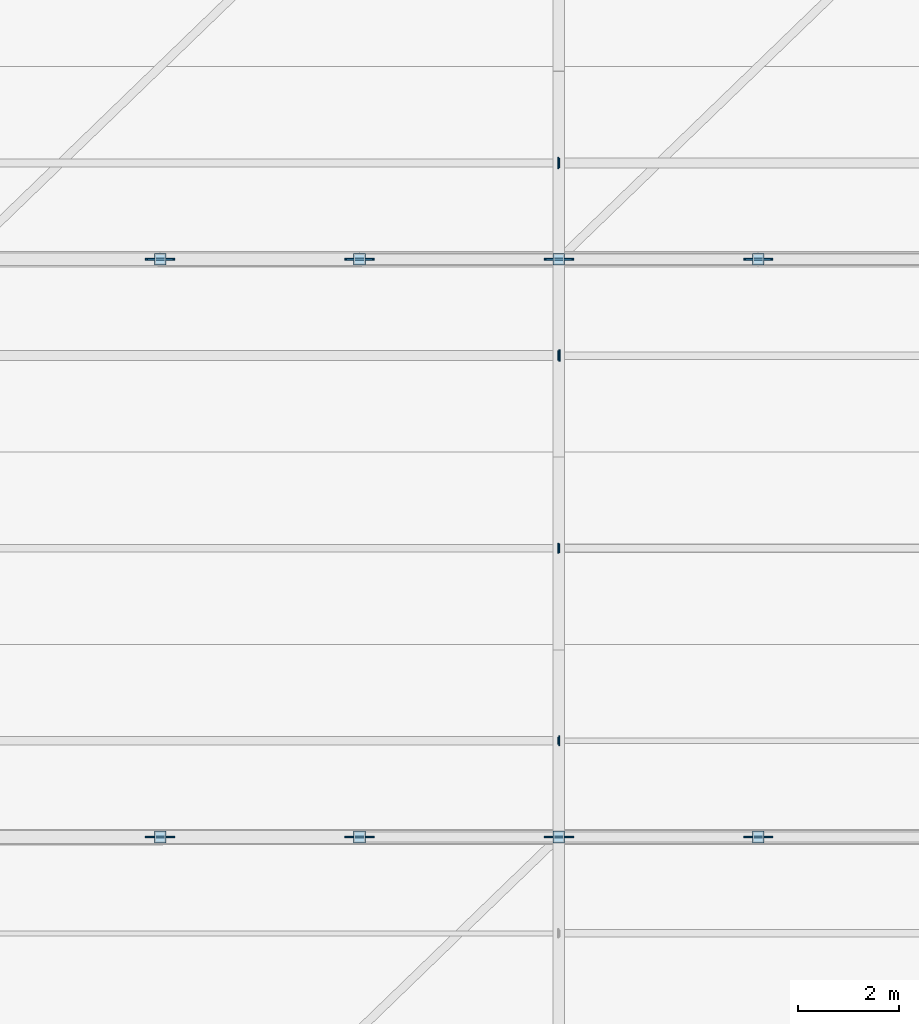
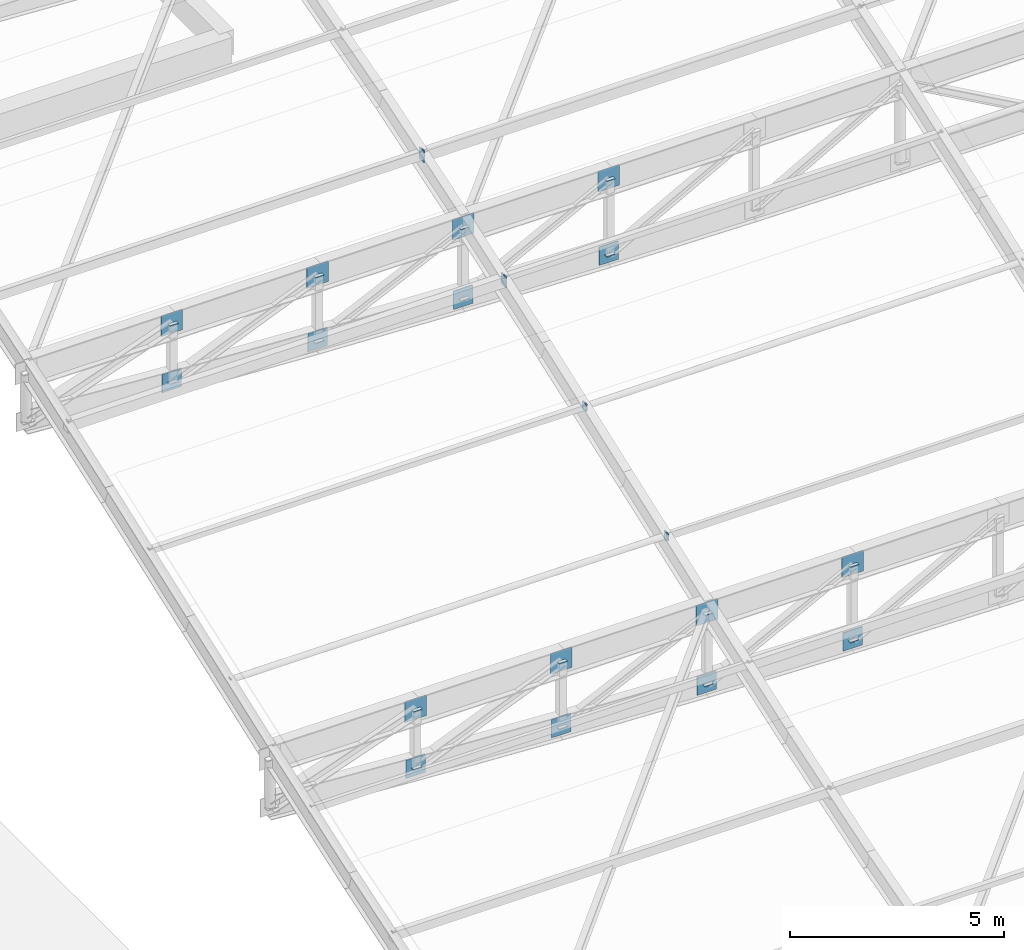
# One storey, part 54 of 65: 40 plates.
"""IFC4 building model written with IfcOpenShell, lengths in metres."""

from ifc_helpers import new_model, si_unit, direction, frame, origin, origin_2d, place, context, subcontext, project, spatial, rectangle, extrude, material, layer, layer_set, type_object, element, save


model = new_model("IFC4")

# Units and contexts
model_context = context("Model", 3, precision=1e-05, world=origin(), true_north=direction((0.0, 1.0)))
body_context = subcontext(model_context, "Body", "Model", "MODEL_VIEW")
ifc_project = project(units=[si_unit("LENGTHUNIT", "METRE"), si_unit("AREAUNIT", "SQUARE_METRE"), si_unit("VOLUMEUNIT", "CUBIC_METRE"), si_unit("PLANEANGLEUNIT", "RADIAN"), si_unit("MASSUNIT", "GRAM", prefix="KILO"), si_unit("POWERUNIT", "WATT"), si_unit("THERMODYNAMICTEMPERATUREUNIT", "KELVIN")], contexts=[model_context])

# Site, building, storey
site_placement = place(None, origin())
site = spatial("IfcSite", under=ifc_project, at=site_placement, CompositionType="ELEMENT")
building_placement = place(site_placement, origin())
building = spatial("IfcBuilding", under=site, at=building_placement, Name="Kelmbourne Parkland Aquatics Centre", CompositionType="ELEMENT")
storey_placement = place(building_placement, frame((0.0, 0.0, 27.0)))
storey = spatial("IfcBuildingStorey", under=building, at=storey_placement, Name="RF", CompositionType="ELEMENT", Elevation=27.0)

# Plates
ifc_material = material(Name="Welded plate steel AS/NZS 3678 Grade 350", Category="steel")
ifc_layer_1 = layer(ifc_material, 0.02001953125)
ifc_layer_set_1 = layer_set([ifc_layer_1], Name="Welded plate steel AS/NZS 3678 Grade 350")
plate_type_1 = type_object("IfcPlateType", Name="PL-CAP-20", PredefinedType="USERDEFINED", material=ifc_layer_set_1)
for number, where, z_axis, x_axis, name in (
    (1, (131.933349609375, 80.60009765625, -8.9638671875), (0.0, 0.0, 1.0), (1.0, 0.0, 0.0), "Hollow end cap plate CAP-0199"),
    (2, (131.933349609375, 80.60009765625, -7.30615234375), (0.0, 0.0, 1.0), (1.0, 0.0, 0.0), "Hollow end cap plate CAP-0200"),
    (3, (135.86669921875, 80.60009765625, -9.17626953125), (0.0, 0.0, 1.0), (1.0, 0.0, 0.0), "Hollow end cap plate CAP-0201"),
    (4, (135.86669921875, 80.60009765625, -7.30615234375), (0.0, 0.0, 1.0), (1.0, 0.0, 0.0), "Hollow end cap plate CAP-0202"),
    (5, (139.800048828125, 80.60009765625, -9.341552734375), (0.0, 0.0, 1.0), (1.0, 0.0, 0.0), "Hollow end cap plate CAP-0203"),
    (6, (139.800048828125, 80.60009765625, -7.30615234375), (0.0, 0.0, 1.0), (1.0, 0.0, 0.0), "Hollow end cap plate CAP-0204"),
    (7, (143.7333984375, 80.60009765625, -9.459716796875), (0.0, 0.0, 1.0), (1.0, 0.0, 0.0), "Hollow end cap plate CAP-0205"),
    (8, (143.7333984375, 80.60009765625, -7.30615234375), (0.0, 0.0, 1.0), (1.0, 0.0, 0.0), "Hollow end cap plate CAP-0206"),
    (9, (131.933349609375, 92.0, -4.861572265625), (0.0, 0.0, 1.0), (1.0, 0.0, 0.0), "Hollow end cap plate CAP-0225"),
    (10, (131.933349609375, 92.0, -3.203857421875), (0.0, 0.0, 1.0), (1.0, 0.0, 0.0), "Hollow end cap plate CAP-0226"),
    (11, (135.86669921875, 92.0, -5.07421875), (0.0, 0.0, 1.0), (1.0, 0.0, 0.0), "Hollow end cap plate CAP-0227"),
    (12, (135.86669921875, 92.0, -3.203857421875), (0.0, 0.0, 1.0), (1.0, 0.0, 0.0), "Hollow end cap plate CAP-0228"),
    (13, (139.800048828125, 92.0, -5.239501953125), (0.0, 0.0, 1.0), (1.0, 0.0, 0.0), "Hollow end cap plate CAP-0229"),
    (14, (139.800048828125, 92.0, -3.203857421875), (0.0, 0.0, 1.0), (1.0, 0.0, 0.0), "Hollow end cap plate CAP-0230"),
    (15, (143.7333984375, 92.0, -5.357421875), (0.0, 0.0, 1.0), (1.0, 0.0, 0.0), "Hollow end cap plate CAP-0231"),
    (16, (143.7333984375, 92.0, -3.203857421875), (0.0, 0.0, 1.0), (1.0, 0.0, 0.0), "Hollow end cap plate CAP-0232"),
):
    element("IfcPlate", number, at=place(storey_placement, frame(where, z_axis=z_axis, x_axis=x_axis)), inside=storey, type_object=plate_type_1, Name=name, ObjectType="END CAP PLATE", PredefinedType="USERDEFINED", context=body_context, shape_type="SweptSolid", body=[
        extrude(rectangle(XDim=0.22998046875, YDim=0.22998046875, at=origin_2d()), origin(), (0.0, 0.0, 1.0), 0.02001953125),
    ])
plate_1_placement = place(storey_placement, frame((139.80908203125, 82.5, -6.36572265625), z_axis=(0.0, 0.0, 1.0), x_axis=(1.0, 0.0, 0.0)))
element("IfcPlate", 17, at=plate_1_placement, inside=storey, type_object=plate_type_1, Name="Hollow end cap plate CAP-0470", ObjectType="END CAP PLATE", PredefinedType="USERDEFINED", context=body_context, shape_type="SweptSolid", body=[
    extrude(rectangle(XDim=0.02001953125, YDim=0.1982421875, at=origin_2d()), origin(), (0.0, 0.0, 1.0), 0.1982421875),
])
plate_2_placement = place(storey_placement, frame((139.791015625, 82.5, -6.397705078125), z_axis=(0.0, 0.0, 1.0), x_axis=(-1.0, 0.0, 0.0)))
element("IfcPlate", 18, at=plate_2_placement, inside=storey, type_object=plate_type_1, Name="Hollow end cap plate CAP-0471", ObjectType="END CAP PLATE", PredefinedType="USERDEFINED", context=body_context, shape_type="SweptSolid", body=[
    extrude(rectangle(XDim=0.02001953125, YDim=0.1298828125, at=origin_2d()), origin(), (0.0, 0.0, 1.0), 0.22998046875),
])
plate_3_placement = place(storey_placement, frame((139.80908203125, 86.300048828125, -4.96240234375), z_axis=(0.0, 0.0, 1.0), x_axis=(1.0, 0.0, 0.0)))
element("IfcPlate", 19, at=plate_3_placement, inside=storey, type_object=plate_type_1, Name="Hollow end cap plate CAP-0478", ObjectType="END CAP PLATE", PredefinedType="USERDEFINED", context=body_context, shape_type="SweptSolid", body=[
    extrude(rectangle(XDim=0.02001953125, YDim=0.179931640625, at=origin_2d()), origin(), (0.0, 0.0, 1.0), 0.179931640625),
])
plate_4_placement = place(storey_placement, frame((139.791015625, 86.300048828125, -4.980712890625), z_axis=(0.0, 0.0, 1.0), x_axis=(-1.0, 0.0, 0.0)))
element("IfcPlate", 20, at=plate_4_placement, inside=storey, type_object=plate_type_1, Name="Hollow end cap plate CAP-0479", ObjectType="END CAP PLATE", PredefinedType="USERDEFINED", context=body_context, shape_type="SweptSolid", body=[
    extrude(rectangle(XDim=0.02001953125, YDim=0.1982421875, at=origin_2d()), origin(), (0.0, 0.0, 1.0), 0.1982421875),
])
plate_5_placement = place(storey_placement, frame((139.791015625, 90.10009765625, -3.60400390625), z_axis=(0.0, 0.0, 1.0), x_axis=(-1.0, 0.0, 0.0)))
element("IfcPlate", 21, at=plate_5_placement, inside=storey, type_object=plate_type_1, Name="Hollow end cap plate CAP-0487", ObjectType="END CAP PLATE", PredefinedType="USERDEFINED", context=body_context, shape_type="SweptSolid", body=[
    extrude(rectangle(XDim=0.02001953125, YDim=0.179931640625, at=origin_2d()), origin(), (0.0, 0.0, 1.0), 0.179931640625),
])
plate_6_placement = place(storey_placement, frame((139.80908203125, 93.89990234375, -2.42431640625), z_axis=(0.0, 0.0, 1.0), x_axis=(1.0, 0.0, 0.0)))
element("IfcPlate", 22, at=plate_6_placement, inside=storey, type_object=plate_type_1, Name="Hollow end cap plate CAP-0494", ObjectType="END CAP PLATE", PredefinedType="USERDEFINED", context=body_context, shape_type="SweptSolid", body=[
    extrude(rectangle(XDim=0.02001953125, YDim=0.179931640625, at=origin_2d()), origin(), (0.0, 0.0, 1.0), 0.280029296875),
])
ifc_layer_2 = layer(ifc_material, 0.02392578125)
ifc_layer_set_2 = layer_set([ifc_layer_2], Name="Welded plate steel AS/NZS 3678 Grade 350")
plate_type_2 = type_object("IfcPlateType", Name="PL-CAP-24", PredefinedType="USERDEFINED", material=ifc_layer_set_2)
for number, where, z_axis, x_axis, name in (
    (23, (139.81103515625, 90.10009765625, -3.75390625), (0.0, 0.0, 1.0), (1.0, 0.0, 0.0), "Hollow end cap plate CAP-0486"),
    (24, (139.7890625, 93.89990234375, -2.47412109375), (0.0, 0.0, 1.0), (-1.0, 0.0, 0.0), "Hollow end cap plate CAP-0495"),
):
    element("IfcPlate", number, at=place(storey_placement, frame(where, z_axis=z_axis, x_axis=x_axis)), inside=storey, type_object=plate_type_2, Name=name, ObjectType="END CAP PLATE", PredefinedType="USERDEFINED", context=body_context, shape_type="SweptSolid", body=[
        extrude(rectangle(XDim=0.02392578125, YDim=0.22998046875, at=origin_2d()), origin(), (0.0, 0.0, 1.0), 0.330078125),
    ])
ifc_layer_3 = layer(ifc_material, 0.031982421875)
ifc_layer_set_3 = layer_set([ifc_layer_3], Name="Welded plate steel AS/NZS 3678 Grade 350")
plate_type_3 = type_object("IfcPlateType", Name="PL-GUS-3", PredefinedType="USERDEFINED", material=ifc_layer_set_3)
plate_7_placement = place(storey_placement, frame((131.933349609375, 80.60009765625, -7.59521484375), z_axis=(0.0, 0.0, 1.0), x_axis=(1.0, 0.0, 0.0)))
element("IfcPlate", 25, at=plate_7_placement, inside=storey, type_object=plate_type_3, Name="Truss top node TN-3 gusset plate R07-N1", ObjectType="GUSSET PLATE", PredefinedType="USERDEFINED", context=body_context, shape_type="SweptSolid", body=[
    extrude(rectangle(XDim=0.580078125, YDim=0.031982421875, at=origin_2d()), origin(), (0.0, 0.0, 1.0), 0.580078125),
])
plate_8_placement = place(storey_placement, frame((131.933349609375, 80.60009765625, -9.204833984375), z_axis=(0.0, 0.0, 1.0), x_axis=(1.0, 0.0, 0.0)))
element("IfcPlate", 26, at=plate_8_placement, inside=storey, type_object=plate_type_3, Name="Truss bottom node TN-3 gusset plate R07-B1", ObjectType="GUSSET PLATE", PredefinedType="USERDEFINED", context=body_context, shape_type="SweptSolid", body=[
    extrude(rectangle(XDim=0.52001953125, YDim=0.031982421875, at=origin_2d()), origin(), (0.0, 0.0, 1.0), 0.52001953125),
])
plate_9_placement = place(storey_placement, frame((135.86669921875, 80.60009765625, -7.59521484375), z_axis=(0.0, 0.0, 1.0), x_axis=(1.0, 0.0, 0.0)))
element("IfcPlate", 27, at=plate_9_placement, inside=storey, type_object=plate_type_3, Name="Truss top node TN-3 gusset plate R07-N2", ObjectType="GUSSET PLATE", PredefinedType="USERDEFINED", context=body_context, shape_type="SweptSolid", body=[
    extrude(rectangle(XDim=0.580078125, YDim=0.031982421875, at=origin_2d()), origin(), (0.0, 0.0, 1.0), 0.580078125),
])
plate_10_placement = place(storey_placement, frame((135.86669921875, 80.60009765625, -9.417236328125), z_axis=(0.0, 0.0, 1.0), x_axis=(1.0, 0.0, 0.0)))
element("IfcPlate", 28, at=plate_10_placement, inside=storey, type_object=plate_type_3, Name="Truss bottom node TN-3 gusset plate R07-B2", ObjectType="GUSSET PLATE", PredefinedType="USERDEFINED", context=body_context, shape_type="SweptSolid", body=[
    extrude(rectangle(XDim=0.52001953125, YDim=0.031982421875, at=origin_2d()), origin(), (0.0, 0.0, 1.0), 0.52001953125),
])
plate_11_placement = place(storey_placement, frame((139.800048828125, 80.60009765625, -7.59521484375), z_axis=(0.0, 0.0, 1.0), x_axis=(1.0, 0.0, 0.0)))
element("IfcPlate", 29, at=plate_11_placement, inside=storey, type_object=plate_type_3, Name="Truss top node TN-3 gusset plate R07-N3", ObjectType="GUSSET PLATE", PredefinedType="USERDEFINED", context=body_context, shape_type="SweptSolid", body=[
    extrude(rectangle(XDim=0.580078125, YDim=0.031982421875, at=origin_2d()), origin(), (0.0, 0.0, 1.0), 0.580078125),
])
plate_12_placement = place(storey_placement, frame((139.800048828125, 80.60009765625, -9.58251953125), z_axis=(0.0, 0.0, 1.0), x_axis=(1.0, 0.0, 0.0)))
element("IfcPlate", 30, at=plate_12_placement, inside=storey, type_object=plate_type_3, Name="Truss bottom node TN-3 gusset plate R07-B3", ObjectType="GUSSET PLATE", PredefinedType="USERDEFINED", context=body_context, shape_type="SweptSolid", body=[
    extrude(rectangle(XDim=0.52001953125, YDim=0.031982421875, at=origin_2d()), origin(), (0.0, 0.0, 1.0), 0.52001953125),
])
plate_13_placement = place(storey_placement, frame((143.7333984375, 80.60009765625, -7.59521484375), z_axis=(0.0, 0.0, 1.0), x_axis=(1.0, 0.0, 0.0)))
element("IfcPlate", 31, at=plate_13_placement, inside=storey, type_object=plate_type_3, Name="Truss top node TN-3 gusset plate R07-N4", ObjectType="GUSSET PLATE", PredefinedType="USERDEFINED", context=body_context, shape_type="SweptSolid", body=[
    extrude(rectangle(XDim=0.580078125, YDim=0.031982421875, at=origin_2d()), origin(), (0.0, 0.0, 1.0), 0.580078125),
])
plate_14_placement = place(storey_placement, frame((143.7333984375, 80.60009765625, -9.70068359375), z_axis=(0.0, 0.0, 1.0), x_axis=(1.0, 0.0, 0.0)))
element("IfcPlate", 32, at=plate_14_placement, inside=storey, type_object=plate_type_3, Name="Truss bottom node TN-3 gusset plate R07-B4", ObjectType="GUSSET PLATE", PredefinedType="USERDEFINED", context=body_context, shape_type="SweptSolid", body=[
    extrude(rectangle(XDim=0.52001953125, YDim=0.031982421875, at=origin_2d()), origin(), (0.0, 0.0, 1.0), 0.52001953125),
])
plate_15_placement = place(storey_placement, frame((131.933349609375, 92.0, -3.492919921875), z_axis=(0.0, 0.0, 1.0), x_axis=(1.0, 0.0, 0.0)))
element("IfcPlate", 33, at=plate_15_placement, inside=storey, type_object=plate_type_3, Name="Truss top node TN-3 gusset plate R08-N1", ObjectType="GUSSET PLATE", PredefinedType="USERDEFINED", context=body_context, shape_type="SweptSolid", body=[
    extrude(rectangle(XDim=0.580078125, YDim=0.031982421875, at=origin_2d()), origin(), (0.0, 0.0, 1.0), 0.580078125),
])
plate_16_placement = place(storey_placement, frame((131.933349609375, 92.0, -5.1025390625), z_axis=(0.0, 0.0, 1.0), x_axis=(1.0, 0.0, 0.0)))
element("IfcPlate", 34, at=plate_16_placement, inside=storey, type_object=plate_type_3, Name="Truss bottom node TN-3 gusset plate R08-B1", ObjectType="GUSSET PLATE", PredefinedType="USERDEFINED", context=body_context, shape_type="SweptSolid", body=[
    extrude(rectangle(XDim=0.52001953125, YDim=0.031982421875, at=origin_2d()), origin(), (0.0, 0.0, 1.0), 0.52001953125),
])
plate_17_placement = place(storey_placement, frame((135.86669921875, 92.0, -3.492919921875), z_axis=(0.0, 0.0, 1.0), x_axis=(1.0, 0.0, 0.0)))
element("IfcPlate", 35, at=plate_17_placement, inside=storey, type_object=plate_type_3, Name="Truss top node TN-3 gusset plate R08-N2", ObjectType="GUSSET PLATE", PredefinedType="USERDEFINED", context=body_context, shape_type="SweptSolid", body=[
    extrude(rectangle(XDim=0.580078125, YDim=0.031982421875, at=origin_2d()), origin(), (0.0, 0.0, 1.0), 0.580078125),
])
plate_18_placement = place(storey_placement, frame((135.86669921875, 92.0, -5.315185546875), z_axis=(0.0, 0.0, 1.0), x_axis=(1.0, 0.0, 0.0)))
element("IfcPlate", 36, at=plate_18_placement, inside=storey, type_object=plate_type_3, Name="Truss bottom node TN-3 gusset plate R08-B2", ObjectType="GUSSET PLATE", PredefinedType="USERDEFINED", context=body_context, shape_type="SweptSolid", body=[
    extrude(rectangle(XDim=0.52001953125, YDim=0.031982421875, at=origin_2d()), origin(), (0.0, 0.0, 1.0), 0.52001953125),
])
plate_19_placement = place(storey_placement, frame((139.800048828125, 92.0, -3.492919921875), z_axis=(0.0, 0.0, 1.0), x_axis=(1.0, 0.0, 0.0)))
element("IfcPlate", 37, at=plate_19_placement, inside=storey, type_object=plate_type_3, Name="Truss top node TN-3 gusset plate R08-N3", ObjectType="GUSSET PLATE", PredefinedType="USERDEFINED", context=body_context, shape_type="SweptSolid", body=[
    extrude(rectangle(XDim=0.580078125, YDim=0.031982421875, at=origin_2d()), origin(), (0.0, 0.0, 1.0), 0.580078125),
])
plate_20_placement = place(storey_placement, frame((139.800048828125, 92.0, -5.48046875), z_axis=(0.0, 0.0, 1.0), x_axis=(1.0, 0.0, 0.0)))
element("IfcPlate", 38, at=plate_20_placement, inside=storey, type_object=plate_type_3, Name="Truss bottom node TN-3 gusset plate R08-B3", ObjectType="GUSSET PLATE", PredefinedType="USERDEFINED", context=body_context, shape_type="SweptSolid", body=[
    extrude(rectangle(XDim=0.52001953125, YDim=0.031982421875, at=origin_2d()), origin(), (0.0, 0.0, 1.0), 0.52001953125),
])
plate_21_placement = place(storey_placement, frame((143.7333984375, 92.0, -3.492919921875), z_axis=(0.0, 0.0, 1.0), x_axis=(1.0, 0.0, 0.0)))
element("IfcPlate", 39, at=plate_21_placement, inside=storey, type_object=plate_type_3, Name="Truss top node TN-3 gusset plate R08-N4", ObjectType="GUSSET PLATE", PredefinedType="USERDEFINED", context=body_context, shape_type="SweptSolid", body=[
    extrude(rectangle(XDim=0.580078125, YDim=0.031982421875, at=origin_2d()), origin(), (0.0, 0.0, 1.0), 0.580078125),
])
plate_22_placement = place(storey_placement, frame((143.7333984375, 92.0, -5.598388671875), z_axis=(0.0, 0.0, 1.0), x_axis=(1.0, 0.0, 0.0)))
element("IfcPlate", 40, at=plate_22_placement, inside=storey, type_object=plate_type_3, Name="Truss bottom node TN-3 gusset plate R08-B4", ObjectType="GUSSET PLATE", PredefinedType="USERDEFINED", context=body_context, shape_type="SweptSolid", body=[
    extrude(rectangle(XDim=0.52001953125, YDim=0.031982421875, at=origin_2d()), origin(), (0.0, 0.0, 1.0), 0.52001953125),
])

save(model, "model.ifc")
